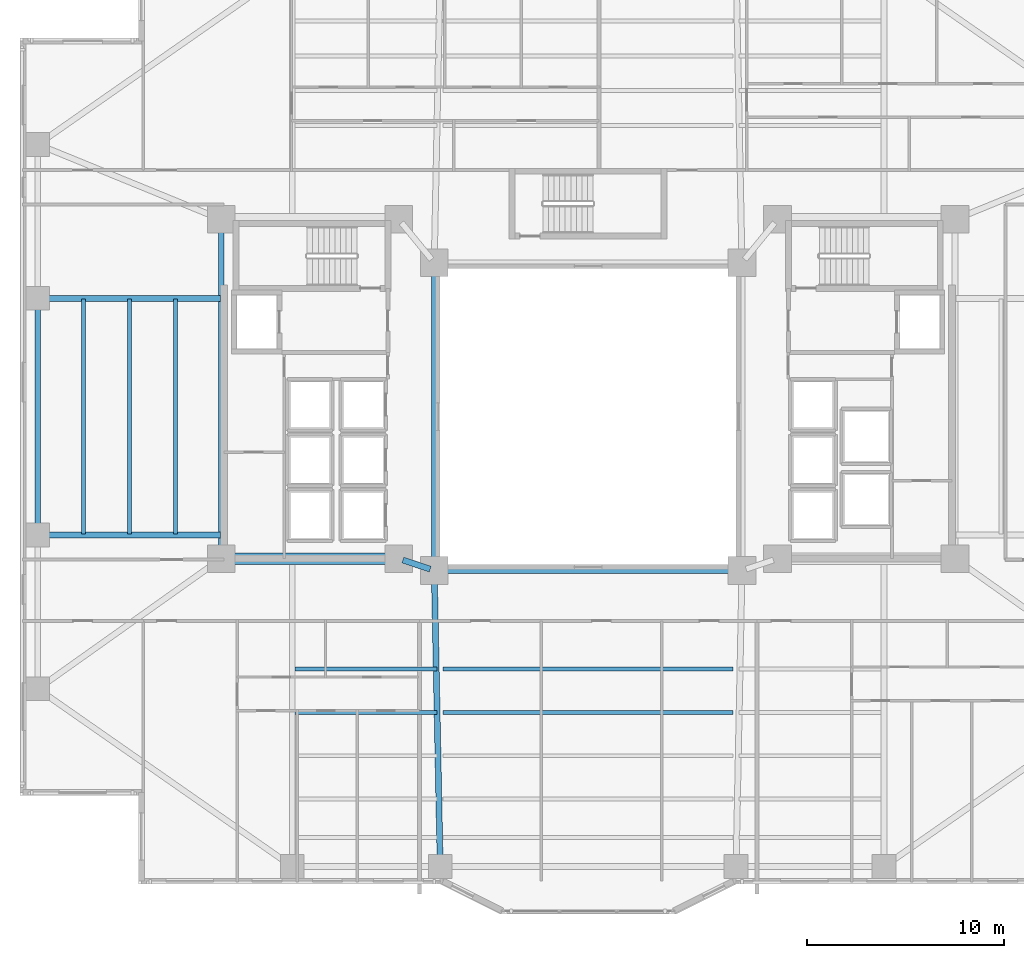
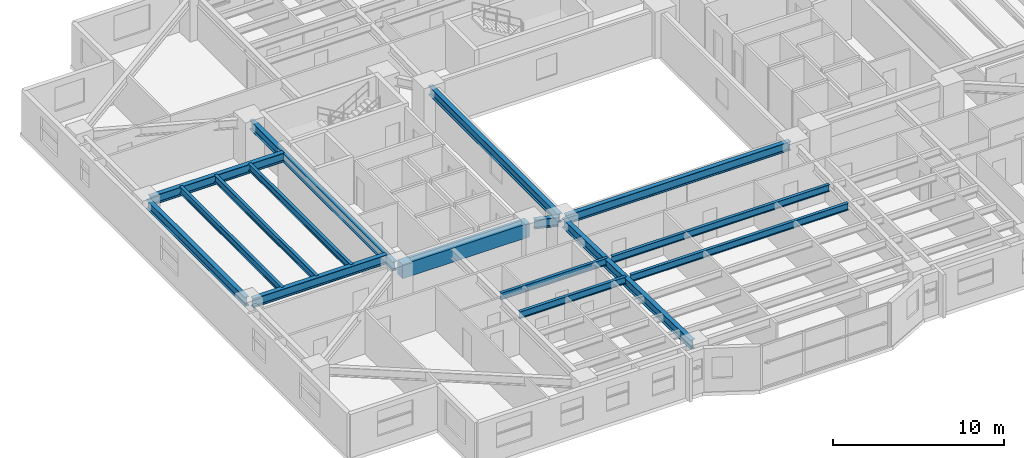
# One storey, part 3 of 20: 16 beams.
"""IFC4 building model written with IfcOpenShell, lengths in metres."""

from ifc_helpers import new_model, si_unit, direction, frame, origin, origin_2d, place, context, subcontext, project, spatial, rectangle, i_section, extrude, material, material_profile, profile_set, type_object, element, save


model = new_model("IFC4")

# Units and contexts
model_context = context("Model", 3, precision=1e-05, world=origin(), true_north=direction((0.0, 1.0)))
body_context = subcontext(model_context, "Body", "Model", "MODEL_VIEW")
ifc_project = project(units=[si_unit("LENGTHUNIT", "METRE"), si_unit("AREAUNIT", "SQUARE_METRE"), si_unit("VOLUMEUNIT", "CUBIC_METRE"), si_unit("PLANEANGLEUNIT", "RADIAN"), si_unit("MASSUNIT", "GRAM", prefix="KILO")], contexts=[model_context])

# Site, building, storey
site_placement = place(None, origin())
site = spatial("IfcSite", under=ifc_project, at=site_placement, CompositionType="ELEMENT")
building_placement = place(site_placement, origin())
building = spatial("IfcBuilding", under=site, at=building_placement, Name="Tarnavaz Court Tower", CompositionType="ELEMENT")
storey_placement = place(building_placement, frame((0.0, 0.0, 34.050048828125)))
storey = spatial("IfcBuildingStorey", under=building, at=storey_placement, Name="L08", CompositionType="ELEMENT", Elevation=34.050048828125)

# Beams
ifc_material_1 = material(Name="Concrete C60/75", Category="concrete")
ifc_material_profile_1 = material_profile(ifc_material_1, rectangle(XDim=0.60009765625, YDim=1.0, at=origin_2d()), Name="RC 600X1000")
ifc_profile_set_1 = profile_set([ifc_material_profile_1], Name="Concrete C60/75")
beam_type_1 = type_object("IfcBeamType", Name="BM-CB1000", PredefinedType="LINTEL", material=ifc_profile_set_1)
beam_1_placement = place(storey_placement, frame((-18.3798828125, -7.199951171875, 2.599853515625), z_axis=(1.0, 0.0, 0.0), x_axis=(0.0, 1.0, 0.0)))
element("IfcBeam", 1, at=beam_1_placement, inside=storey, type_object=beam_type_1, Name="L08 Beam IN-CW-SO-CW-SI", PredefinedType="LINTEL", context=body_context, shape_type="SweptSolid", body=[
    extrude(rectangle(XDim=0.60009765625, YDim=1.0, at=origin_2d()), origin(), (0.0, 0.0, 1.0), 8.559814453125),
])
ifc_material_2 = material(Name="Steel S355", Category="steel")
ifc_material_profile_2 = material_profile(ifc_material_2, i_section(OverallWidth=0.300048828125, OverallDepth=0.64990234375, WebThickness=0.01611328125, FlangeThickness=0.031005859375, FilletRadius=0.027099609375, at=origin_2d()), Name="HEB 650")
ifc_profile_set_2 = profile_set([ifc_material_profile_2], Name="Steel S355")
beam_type_2 = type_object("IfcBeamType", Name="BM-G-HEB650", PredefinedType="USERDEFINED", material=ifc_profile_set_2)
beam_2_placement = place(storey_placement, frame((-9.391357421875, -7.26953125, 2.77490234375), z_axis=(0.948666544706, -0.316278021615, 0.0), x_axis=(0.316278021615, 0.948666544706, 0.0)))
element("IfcBeam", 2, at=beam_2_placement, inside=storey, type_object=beam_type_2, Name="L08 Beam IN-CW-SI-IW-SW", ObjectType="GIRDER", PredefinedType="USERDEFINED", context=body_context, shape_type="SweptSolid", body=[
    extrude(i_section(OverallWidth=0.300048828125, OverallDepth=0.64990234375, WebThickness=0.01611328125, FlangeThickness=0.031005859375, FilletRadius=0.027099609375, at=origin_2d()), origin(), (0.0, 0.0, 1.0), 1.457275390625),
])
beam_3_placement = place(storey_placement, frame((-18.60009765625, -6.97998046875, 2.77490234375), z_axis=(0.0, 1.0, 0.0), x_axis=(-1.0, 0.0, 0.0)))
element("IfcBeam", 3, at=beam_3_placement, inside=storey, type_object=beam_type_2, Name="L08 Beam IN-CW-SO-CW-NO", ObjectType="GIRDER", PredefinedType="USERDEFINED", context=body_context, shape_type="SweptSolid", body=[
    extrude(i_section(OverallWidth=0.300048828125, OverallDepth=0.64990234375, WebThickness=0.01611328125, FlangeThickness=0.031005859375, FilletRadius=0.027099609375, at=origin_2d()), origin(), (0.0, 0.0, 1.0), 16.760009765625),
])
beam_4_placement = place(storey_placement, frame((-7.795654296875, -8.02001953125, 2.77490234375), z_axis=(0.020000023066, -0.999799979535, 0.0), x_axis=(0.999799979535, 0.020000023066, 0.0)))
element("IfcBeam", 4, at=beam_4_placement, inside=storey, type_object=beam_type_2, Name="L08 Beam RG-06", ObjectType="GIRDER", PredefinedType="USERDEFINED", context=body_context, shape_type="SweptSolid", body=[
    extrude(i_section(OverallWidth=0.300048828125, OverallDepth=0.64990234375, WebThickness=0.01611328125, FlangeThickness=0.031005859375, FilletRadius=0.027099609375, at=origin_2d()), origin(), (0.0, 0.0, 1.0), 14.56298828125),
])
for number, where, z_axis, x_axis, name in (
    (5, (-18.639892578125, -6.0, 2.77490234375), (-1.0, 0.0, 0.0), (0.0, -1.0, 0.0), "L08 Beam RG-13"),
    (6, (-18.639892578125, 6.0, 2.77490234375), (-1.0, 0.0, 0.0), (0.0, -1.0, 0.0), "L08 Beam RG-14"),
):
    element("IfcBeam", number, at=place(storey_placement, frame(where, z_axis=z_axis, x_axis=x_axis)), inside=storey, type_object=beam_type_2, Name=name, ObjectType="GIRDER", PredefinedType="USERDEFINED", context=body_context, shape_type="SweptSolid", body=[
        extrude(i_section(OverallWidth=0.300048828125, OverallDepth=0.64990234375, WebThickness=0.01611328125, FlangeThickness=0.031005859375, FilletRadius=0.027099609375, at=origin_2d()), origin(), (0.0, 0.0, 1.0), 9.0400390625),
    ])
ifc_material_profile_3 = material_profile(ifc_material_2, i_section(OverallWidth=0.199951171875, OverallDepth=0.5, WebThickness=0.01025390625, FlangeThickness=0.01611328125, FilletRadius=0.02099609375, at=origin_2d()), Name="IPE 500")
ifc_profile_set_3 = profile_set([ifc_material_profile_3], Name="Steel S355")
beam_type_3 = type_object("IfcBeamType", Name="BM-J-IPE500", PredefinedType="JOIST", material=ifc_profile_set_3)
beam_5_placement = place(storey_placement, frame((-14.85009765625, -12.7958984375, 2.849853515625), z_axis=(1.0, 0.0, 0.0), x_axis=(0.0, 1.0, 0.0)))
element("IfcBeam", 7, at=beam_5_placement, inside=storey, type_object=beam_type_3, Name="L08 Beam JS1-1", PredefinedType="JOIST", context=body_context, shape_type="SweptSolid", body=[
    extrude(i_section(OverallWidth=0.199951171875, OverallDepth=0.5, WebThickness=0.01025390625, FlangeThickness=0.01611328125, FilletRadius=0.02099609375, at=origin_2d()), origin(), (0.0, 0.0, 1.0), 7.2001953125),
])
beam_6_placement = place(storey_placement, frame((-7.35009765625, -12.7958984375, 2.849853515625), z_axis=(1.0, 0.0, 0.0), x_axis=(0.0, 1.0, 0.0)))
element("IfcBeam", 8, at=beam_6_placement, inside=storey, type_object=beam_type_3, Name="L08 Beam JS1-2", PredefinedType="JOIST", context=body_context, shape_type="SweptSolid", body=[
    extrude(i_section(OverallWidth=0.199951171875, OverallDepth=0.5, WebThickness=0.01025390625, FlangeThickness=0.01611328125, FilletRadius=0.02099609375, at=origin_2d()), origin(), (0.0, 0.0, 1.0), 14.7001953125),
])
beam_7_placement = place(storey_placement, frame((-14.85009765625, -14.991943359375, 2.849853515625), z_axis=(1.0, 0.0, 0.0), x_axis=(0.0, 1.0, 0.0)))
element("IfcBeam", 9, at=beam_7_placement, inside=storey, type_object=beam_type_3, Name="L08 Beam JS2-1", PredefinedType="JOIST", context=body_context, shape_type="SweptSolid", body=[
    extrude(i_section(OverallWidth=0.199951171875, OverallDepth=0.5, WebThickness=0.01025390625, FlangeThickness=0.01611328125, FilletRadius=0.02099609375, at=origin_2d()), origin(), (0.0, 0.0, 1.0), 7.2001953125),
])
beam_8_placement = place(storey_placement, frame((-7.35009765625, -14.991943359375, 2.849853515625), z_axis=(1.0, 0.0, 0.0), x_axis=(0.0, 1.0, 0.0)))
element("IfcBeam", 10, at=beam_8_placement, inside=storey, type_object=beam_type_3, Name="L08 Beam JS2-2", PredefinedType="JOIST", context=body_context, shape_type="SweptSolid", body=[
    extrude(i_section(OverallWidth=0.199951171875, OverallDepth=0.5, WebThickness=0.01025390625, FlangeThickness=0.01611328125, FilletRadius=0.02099609375, at=origin_2d()), origin(), (0.0, 0.0, 1.0), 14.7001953125),
])
for number, where, z_axis, x_axis, name in (
    (11, (-20.925048828125, -5.9599609375, 2.849853515625), (0.0, 1.0, 0.0), (-1.0, 0.0, 0.0), "L08 Beam JW1"),
    (12, (-23.25, -5.9599609375, 2.849853515625), (0.0, 1.0, 0.0), (-1.0, 0.0, 0.0), "L08 Beam JW2"),
    (13, (-25.574951171875, -5.9599609375, 2.849853515625), (0.0, 1.0, 0.0), (-1.0, 0.0, 0.0), "L08 Beam JW3"),
):
    element("IfcBeam", number, at=place(storey_placement, frame(where, z_axis=z_axis, x_axis=x_axis)), inside=storey, type_object=beam_type_3, Name=name, PredefinedType="JOIST", context=body_context, shape_type="SweptSolid", body=[
        extrude(i_section(OverallWidth=0.199951171875, OverallDepth=0.5, WebThickness=0.01025390625, FlangeThickness=0.01611328125, FilletRadius=0.02099609375, at=origin_2d()), origin(), (0.0, 0.0, 1.0), 11.919921875),
    ])
ifc_material_profile_4 = material_profile(ifc_material_2, i_section(OverallWidth=0.300048828125, OverallDepth=0.639892578125, WebThickness=0.013427734375, FlangeThickness=0.02587890625, FilletRadius=0.027099609375, at=origin_2d()), Name="HEA 650")
ifc_profile_set_4 = profile_set([ifc_material_profile_4], Name="Steel S355")
beam_type_4 = type_object("IfcBeamType", Name="BM-SP-HEA650", PredefinedType="SPANDREL", material=ifc_profile_set_4)
for number, where, z_axis, x_axis, name in (
    (14, (-7.580078125, -7.800048828125, 2.780029296875), (1.0, 0.0, 0.0), (0.0, 1.0, 0.0), "L08 Beam IN-IW-SW-IW-SE"),
    (15, (-7.800048828125, -7.580078125, 2.780029296875), (0.0, 1.0, 0.0), (-1.0, 0.0, 0.0), "L08 Beam IN-IW-SW-IW-NW"),
):
    element("IfcBeam", number, at=place(storey_placement, frame(where, z_axis=z_axis, x_axis=x_axis)), inside=storey, type_object=beam_type_4, Name=name, PredefinedType="SPANDREL", context=body_context, shape_type="SweptSolid", body=[
        extrude(i_section(OverallWidth=0.300048828125, OverallDepth=0.639892578125, WebThickness=0.013427734375, FlangeThickness=0.02587890625, FilletRadius=0.027099609375, at=origin_2d()), origin(), (0.0, 0.0, 1.0), 15.16015625),
    ])
beam_9_placement = place(storey_placement, frame((-27.89990234375, -5.780029296875, 2.780029296875), z_axis=(0.0, 1.0, 0.0), x_axis=(-1.0, 0.0, 0.0)))
element("IfcBeam", 16, at=beam_9_placement, inside=storey, type_object=beam_type_4, Name="L08 Beam PR-PW-2-PW-3", PredefinedType="SPANDREL", context=body_context, shape_type="SweptSolid", body=[
    extrude(i_section(OverallWidth=0.300048828125, OverallDepth=0.639892578125, WebThickness=0.013427734375, FlangeThickness=0.02587890625, FilletRadius=0.027099609375, at=origin_2d()), origin(), (0.0, 0.0, 1.0), 11.56005859375),
])

save(model, "model.ifc")
